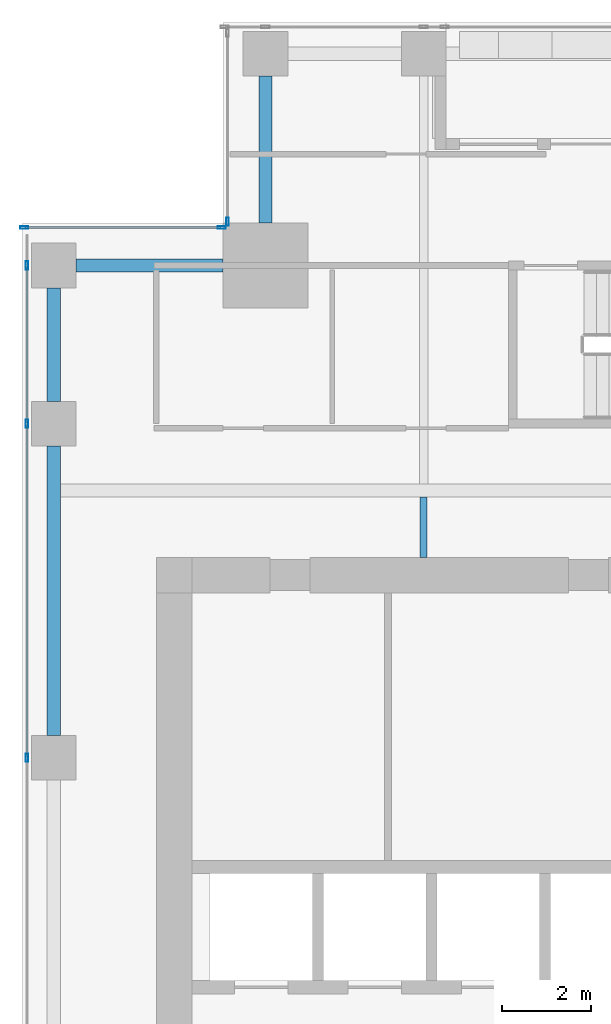
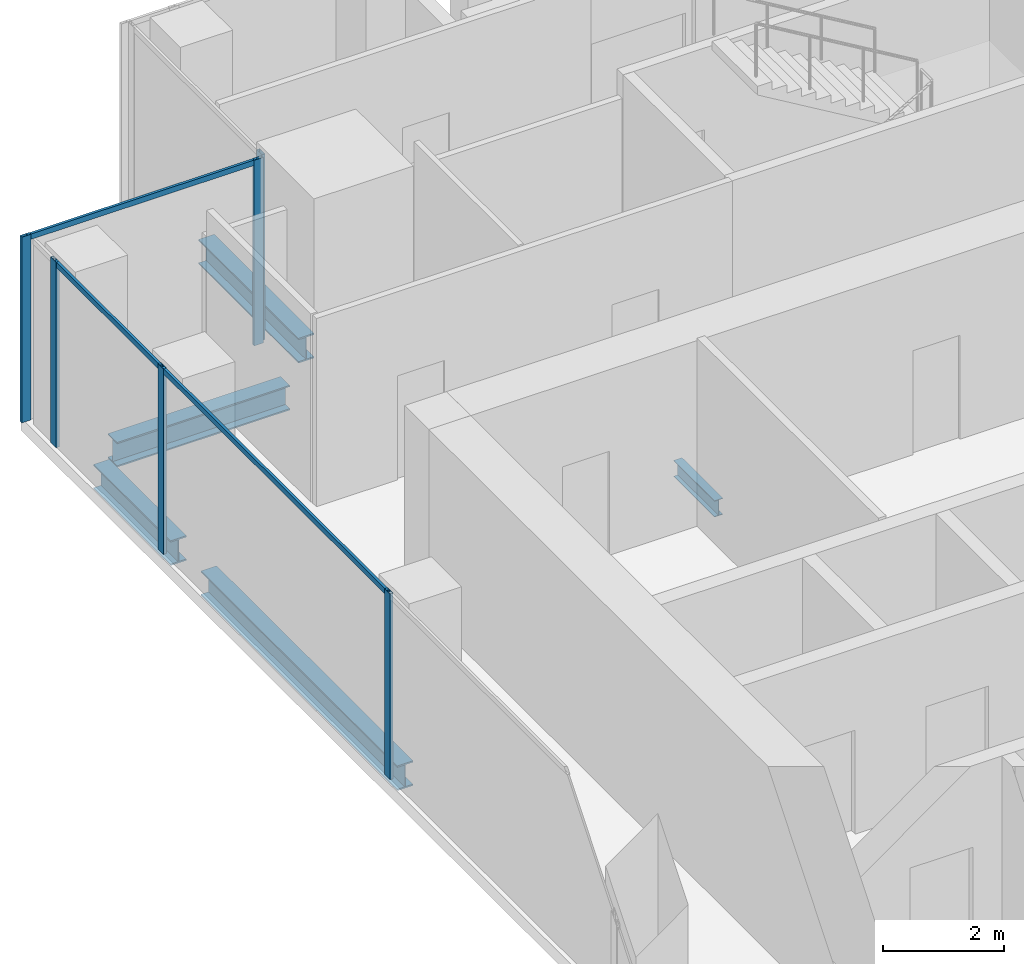
# One storey, part 17 of 38: 9 members, 5 beams, 3 elements without a shape of their own.
"""IFC4 building model written with IfcOpenShell, lengths in metres."""

from ifc_helpers import new_model, si_unit, direction, frame, origin, origin_2d, place, context, subcontext, project, spatial, hollow_rectangle, i_section, extrude, source, transform, mapped, material, material_profile, profile_set, type_object, element, aggregate, save


model = new_model("IFC4")

# Units and contexts
model_context = context("Model", 3, precision=1e-05, world=origin(), true_north=direction((0.0, 1.0)))
body_context = subcontext(model_context, "Body", "Model", "MODEL_VIEW")
ifc_project = project(units=[si_unit("LENGTHUNIT", "METRE"), si_unit("AREAUNIT", "SQUARE_METRE"), si_unit("VOLUMEUNIT", "CUBIC_METRE"), si_unit("PLANEANGLEUNIT", "RADIAN"), si_unit("MASSUNIT", "GRAM", prefix="KILO")], contexts=[model_context])

# Site, building, storey
site_placement = place(None, origin())
site = spatial("IfcSite", under=ifc_project, at=site_placement, CompositionType="ELEMENT")
building_placement = place(site_placement, origin())
building = spatial("IfcBuilding", under=site, at=building_placement, Name="Khomas Fold Tower", CompositionType="ELEMENT")
storey_placement = place(building_placement, frame((0.0, 0.0, 196.699951171875)))
storey = spatial("IfcBuildingStorey", under=building, at=storey_placement, Name="L43", CompositionType="ELEMENT", Elevation=196.699951171875)

# Beams
ifc_material_1 = material(Name="Steel S355", Category="steel")
ifc_material_profile_1 = material_profile(ifc_material_1, i_section(OverallWidth=0.300048828125, OverallDepth=0.5, WebThickness=0.014404296875, FlangeThickness=0.028076171875, at=origin_2d()), Name="HE 500 B")
ifc_profile_set_1 = profile_set([ifc_material_profile_1], Name="Steel S355")
beam_type_1 = type_object("IfcBeamType", Name="HE 500 B spandrel SB3", PredefinedType="SPANDREL", material=ifc_profile_set_1)
shared_shape_1 = source(origin(), body_context, "Body", "SweptSolid", [
    extrude(i_section(OverallWidth=0.300048828125, OverallDepth=0.5, WebThickness=0.014404296875, FlangeThickness=0.028076171875, at=origin_2d()), origin(), (0.0, 0.0, 1.0), 2.550048828125),
])
beam_1_placement = place(storey_placement, frame((3.699951171875, 42.5, -0.5), z_axis=(0.0, 1.0, 0.0), x_axis=(-1.0, 0.0, 0.0)))
element("IfcBeam", 1, at=beam_1_placement, inside=storey, type_object=beam_type_1, Name="SB3", PredefinedType="SPANDREL", context=body_context, shape_type="MappedRepresentation", body=[
    mapped(shared_shape_1, transform((0.0, 0.0, 0.0))),
])
shared_shape_2 = source(origin(), body_context, "Body", "SweptSolid", [
    extrude(i_section(OverallWidth=0.300048828125, OverallDepth=0.5, WebThickness=0.014404296875, FlangeThickness=0.028076171875, at=origin_2d()), origin(), (0.0, 0.0, 1.0), 6.5),
])
beam_2_placement = place(storey_placement, frame((3.699951171875, 35.0, -0.5), z_axis=(0.0, 1.0, 0.0), x_axis=(-1.0, 0.0, 0.0)))
element("IfcBeam", 2, at=beam_2_placement, inside=storey, type_object=beam_type_1, Name="SB3", PredefinedType="SPANDREL", context=body_context, shape_type="MappedRepresentation", body=[
    mapped(shared_shape_2, transform((0.0, 0.0, 0.0))),
])
shared_shape_3 = source(origin(), body_context, "Body", "SweptSolid", [
    extrude(i_section(OverallWidth=0.300048828125, OverallDepth=0.5, WebThickness=0.014404296875, FlangeThickness=0.028076171875, at=origin_2d()), origin(), (0.0, 0.0, 1.0), 3.300048828125),
])
for number, where, z_axis, x_axis, name in (
    (3, (8.449951171875, 46.5, -0.5), (0.0, 1.0, 0.0), (-1.0, 0.0, 0.0), "SB3"),
    (4, (4.199951171875, 45.550048828125, -0.5), (1.0, 0.0, 0.0), (0.0, 1.0, 0.0), "SB3"),
):
    element("IfcBeam", number, at=place(storey_placement, frame(where, z_axis=z_axis, x_axis=x_axis)), inside=storey, type_object=beam_type_1, Name=name, PredefinedType="SPANDREL", context=body_context, shape_type="MappedRepresentation", body=[
        mapped(shared_shape_3, transform((0.0, 0.0, 0.0))),
    ])
ifc_material_2 = material(Name="Steel S355", Category="steel")
ifc_material_profile_2 = material_profile(ifc_material_2, i_section(OverallWidth=0.159912109375, OverallDepth=0.330078125, WebThickness=0.007568359375, FlangeThickness=0.011474609375, at=origin_2d()), Name="IPE 330")
ifc_profile_set_2 = profile_set([ifc_material_profile_2], Name="Steel S355")
beam_type_2 = type_object("IfcBeamType", Name="IPE 330 beam JB1", PredefinedType="BEAM", material=ifc_profile_set_2)
shared_shape_4 = source(origin(), body_context, "Body", "SweptSolid", [
    extrude(i_section(OverallWidth=0.159912109375, OverallDepth=0.330078125, WebThickness=0.007568359375, FlangeThickness=0.011474609375, at=origin_2d()), origin(), (0.0, 0.0, 1.0), 1.35009765625),
])
beam_3_placement = place(storey_placement, frame((12.0, 39.0, -0.4150390625), z_axis=(0.0, 1.0, 0.0), x_axis=(-1.0, 0.0, 0.0)))
element("IfcBeam", 5, at=beam_3_placement, inside=storey, type_object=beam_type_2, Name="JB1", PredefinedType="BEAM", context=body_context, shape_type="MappedRepresentation", body=[
    mapped(shared_shape_4, transform((0.0, 0.0, 0.0))),
])

# Curtain wall, member
ifc_material_3 = material(Name="Aluminium framed double glazing", Category="aluminium")
curtain_wall_type = type_object("IfcCurtainWallType", Name="SK-Unitised clear-glass wall, office floors CW2", PredefinedType="NOTDEFINED", material=ifc_material_3)
curtain_wall_1_placement = place(storey_placement, origin())
curtain_wall_1 = element("IfcCurtainWall", 6, at=curtain_wall_1_placement, inside=storey, type_object=curtain_wall_type, Name="CW2 corner return L43 07", PredefinedType="NOTDEFINED")
ifc_material_4 = material(Name="Aluminium", Category="aluminium")
ifc_material_profile_3 = material_profile(ifc_material_4, hollow_rectangle(XDim=0.06005859375, YDim=0.179931640625, WallThickness=0.00390625, at=origin_2d()), Name="SK-Unitised clear-glass wall, office floors mullion CW2-M")
ifc_profile_set_3 = profile_set([ifc_material_profile_3], Name="Aluminium")
member_type_1 = type_object("IfcMemberType", Name="SK-Unitised clear-glass wall, office floors mullion CW2-M", PredefinedType="MULLION", material=ifc_profile_set_3)
shared_shape_5 = source(origin(), body_context, "Body", "SweptSolid", [
    extrude(hollow_rectangle(XDim=0.06005859375, YDim=0.179931640625, WallThickness=0.00390625, at=origin_2d()), origin(), (0.0, 0.0, 1.0), 3.75),
])
member_1_placement = place(storey_placement, frame((7.60009765625, 46.530029296875, 0.0), z_axis=(0.0, 0.0, 1.0), x_axis=(1.0, 0.0, 0.0)))
member_1 = element("IfcMember", 7, at=member_1_placement, type_object=member_type_1, Name="CW2 mullion 2", PredefinedType="MULLION", context=body_context, shape_type="MappedRepresentation", body=[
    mapped(shared_shape_5, transform((0.0, 0.0, 0.0))),
])
aggregate(curtain_wall_1, [member_1])

# Curtain wall, members
curtain_wall_2_placement = place(storey_placement, origin())
curtain_wall_2 = element("IfcCurtainWall", 8, at=curtain_wall_2_placement, inside=storey, type_object=curtain_wall_type, Name="CW2 corner return L43 08", PredefinedType="NOTDEFINED")
member_2_placement = place(storey_placement, frame((7.469970703125, 46.39990234375, 0.0), z_axis=(0.0, 0.0, 1.0), x_axis=(0.0, -1.0, 0.0)))
member_2 = element("IfcMember", 9, at=member_2_placement, type_object=member_type_1, Name="CW2 mullion 1", PredefinedType="MULLION", context=body_context, shape_type="MappedRepresentation", body=[
    mapped(shared_shape_5, transform((0.0, 0.0, 0.0))),
])
member_3_placement = place(storey_placement, frame((3.030029296875, 46.39990234375, 0.0), z_axis=(0.0, 0.0, 1.0), x_axis=(0.0, -1.0, 0.0)))
member_3 = element("IfcMember", 10, at=member_3_placement, type_object=member_type_1, Name="CW2 mullion 2", PredefinedType="MULLION", context=body_context, shape_type="MappedRepresentation", body=[
    mapped(shared_shape_5, transform((0.0, 0.0, 0.0))),
])

curtain_wall_3_placement = place(storey_placement, origin())
curtain_wall_3 = element("IfcCurtainWall", 11, at=curtain_wall_3_placement, inside=storey, type_object=curtain_wall_type, Name="CW2 run L43 09-0", PredefinedType="NOTDEFINED")
member_4_placement = place(storey_placement, frame((3.10009765625, 45.550048828125, 0.0), z_axis=(0.0, 0.0, 1.0), x_axis=(1.0, 0.0, 0.0)))
member_4 = element("IfcMember", 12, at=member_4_placement, type_object=member_type_1, Name="CW2 mullion 2", PredefinedType="MULLION", context=body_context, shape_type="MappedRepresentation", body=[
    mapped(shared_shape_5, transform((0.0, 0.0, 0.0))),
])
member_5_placement = place(storey_placement, frame((3.10009765625, 42.0, 0.0), z_axis=(0.0, 0.0, 1.0), x_axis=(1.0, 0.0, 0.0)))
member_5 = element("IfcMember", 13, at=member_5_placement, type_object=member_type_1, Name="CW2 mullion 3", PredefinedType="MULLION", context=body_context, shape_type="MappedRepresentation", body=[
    mapped(shared_shape_5, transform((0.0, 0.0, 0.0))),
])
member_6_placement = place(storey_placement, frame((3.10009765625, 34.5, 0.0), z_axis=(0.0, 0.0, 1.0), x_axis=(1.0, 0.0, 0.0)))
member_6 = element("IfcMember", 14, at=member_6_placement, type_object=member_type_1, Name="CW2 mullion 4", PredefinedType="MULLION", context=body_context, shape_type="MappedRepresentation", body=[
    mapped(shared_shape_5, transform((0.0, 0.0, 0.0))),
])

# Member
ifc_material_5 = material(Name="Aluminium", Category="aluminium")
ifc_material_profile_4 = material_profile(ifc_material_5, hollow_rectangle(XDim=0.050048828125, YDim=0.110107421875, WallThickness=0.00390625, at=origin_2d()), Name="SK-Unitised clear-glass wall, office floors transom CW2-T")
ifc_profile_set_4 = profile_set([ifc_material_profile_4], Name="Aluminium")
member_type_2 = type_object("IfcMemberType", Name="SK-Unitised clear-glass wall, office floors transom CW2-T", PredefinedType="USERDEFINED", material=ifc_profile_set_4)
shared_shape_6 = source(origin(), body_context, "Body", "SweptSolid", [
    extrude(hollow_rectangle(XDim=0.050048828125, YDim=0.110107421875, WallThickness=0.00390625, at=origin_2d()), origin(), (0.0, 0.0, 1.0), 4.3798828125),
])
member_7_placement = place(storey_placement, frame((7.43994140625, 46.39990234375, 3.695068359375), z_axis=(-1.0, 0.0, 0.0), x_axis=(0.0, -1.0, 0.0)))
member_7 = element("IfcMember", 15, at=member_7_placement, type_object=member_type_2, Name="CW2 transom 1", ObjectType="TRANSOM", PredefinedType="USERDEFINED", context=body_context, shape_type="MappedRepresentation", body=[
    mapped(shared_shape_6, transform((0.0, 0.0, 0.0))),
])

aggregate(curtain_wall_2, [member_2, member_3, member_7])

shared_shape_7 = source(origin(), body_context, "Body", "SweptSolid", [
    extrude(hollow_rectangle(XDim=0.050048828125, YDim=0.110107421875, WallThickness=0.00390625, at=origin_2d()), origin(), (0.0, 0.0, 1.0), 3.489990234375),
])
member_8_placement = place(storey_placement, frame((3.10009765625, 45.52001953125, 3.695068359375), z_axis=(0.0, -1.0, 0.0), x_axis=(1.0, 0.0, 0.0)))
member_8 = element("IfcMember", 16, at=member_8_placement, type_object=member_type_2, Name="CW2 transom 2", ObjectType="TRANSOM", PredefinedType="USERDEFINED", context=body_context, shape_type="MappedRepresentation", body=[
    mapped(shared_shape_7, transform((0.0, 0.0, 0.0))),
])

shared_shape_8 = source(origin(), body_context, "Body", "SweptSolid", [
    extrude(hollow_rectangle(XDim=0.050048828125, YDim=0.110107421875, WallThickness=0.00390625, at=origin_2d()), origin(), (0.0, 0.0, 1.0), 7.43994140625),
])
member_9_placement = place(storey_placement, frame((3.10009765625, 41.969970703125, 3.695068359375), z_axis=(0.0, -1.0, 0.0), x_axis=(1.0, 0.0, 0.0)))
member_9 = element("IfcMember", 17, at=member_9_placement, type_object=member_type_2, Name="CW2 transom 3", ObjectType="TRANSOM", PredefinedType="USERDEFINED", context=body_context, shape_type="MappedRepresentation", body=[
    mapped(shared_shape_8, transform((0.0, 0.0, 0.0))),
])

aggregate(curtain_wall_3, [member_4, member_5, member_6, member_8, member_9])

save(model, "model.ifc")
